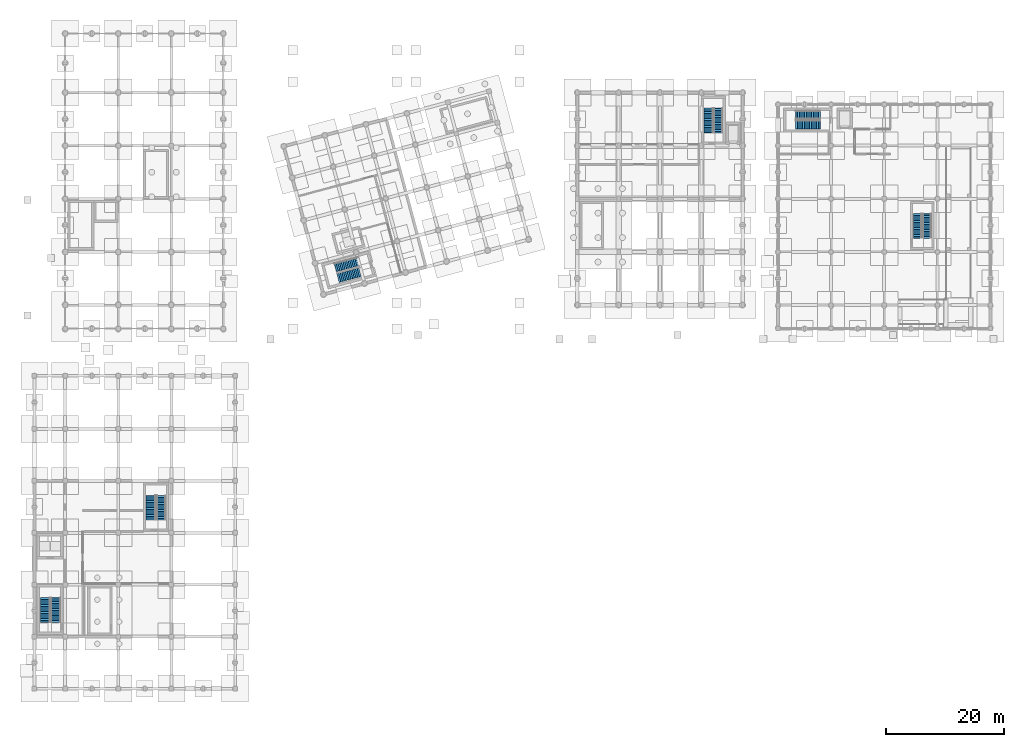
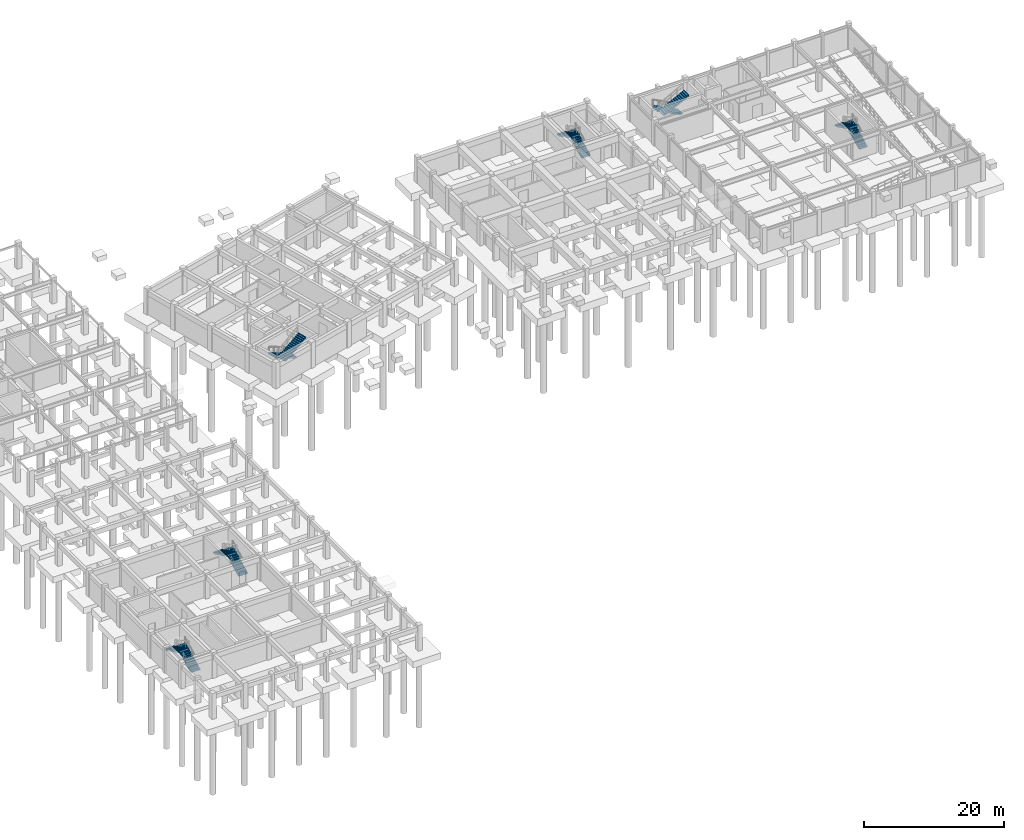
# One storey, part 16 of 20: 12 stair flights, 6 elements without a shape of their own.
"""IFC4 building model written with IfcOpenShell, lengths in metres."""

from ifc_helpers import new_model, si_unit, direction, frame, origin, place, context, subcontext, project, spatial, polyline, outline, extrude, material, type_object, element, aggregate, save


model = new_model("IFC4")

# Units and contexts
model_context = context("Model", 3, precision=1e-05, world=origin(), true_north=direction((0.0, 1.0)))
body_context = subcontext(model_context, "Body", "Model", "MODEL_VIEW")
ifc_project = project(units=[si_unit("LENGTHUNIT", "METRE"), si_unit("AREAUNIT", "SQUARE_METRE"), si_unit("VOLUMEUNIT", "CUBIC_METRE"), si_unit("PLANEANGLEUNIT", "RADIAN"), si_unit("MASSUNIT", "GRAM", prefix="KILO")], contexts=[model_context])

# Site, building, storey
site_placement = place(None, origin())
site = spatial("IfcSite", under=ifc_project, at=site_placement, CompositionType="ELEMENT")
building_placement = place(site_placement, origin())
building = spatial("IfcBuilding", under=site, at=building_placement, Name="Ventoquebrada Cableway Terminal", CompositionType="ELEMENT")
storey_placement = place(building_placement, frame((0.0, 0.0, -4.5)))
storey = spatial("IfcBuildingStorey", under=building, at=storey_placement, Name="B1", CompositionType="ELEMENT", Elevation=-4.5)

# Stair, stair flights
ifc_material = material(Name="Concrete C40/50", Category="concrete")
stair_type_1 = type_object("IfcStairType", Name="ST-T01", PredefinedType="HALF_TURN_STAIR", material=ifc_material)
stair_1_placement = place(storey_placement, origin())
stair_1 = element("IfcStair", 1, at=stair_1_placement, inside=storey, type_object=stair_type_1, Name="Protected half-turn stair ST-01", PredefinedType="HALF_TURN_STAIR")
stair_flight_type_1 = type_object("IfcStairFlightType", Name="SF-T01", PredefinedType="STRAIGHT", material=ifc_material)
stair_flight_1_placement = place(storey_placement, frame((6.675048828125, 14.199951171875, 0.0), z_axis=(0.0, 0.0, 1.0), x_axis=(0.0, 1.0, 0.0)))
stair_flight_1 = element("IfcStairFlight", 2, at=stair_flight_1_placement, type_object=stair_flight_type_1, Name="Lower stair flight SF-001", NumberOfRisers=15, NumberOfTreads=14, PredefinedType="STRAIGHT", RiserHeight=0.15, TreadLength=0.3, context=body_context, shape_type="SweptSolid", body=[
    extrude(outline(polyline([(0.0, 0.0), (0.0, 0.14990234375), (0.29638671875, 0.14990234375), (0.29638671875, 0.300048828125), (0.5927734375, 0.300048828125), (0.5927734375, 0.449951171875), (0.889404296875, 0.449951171875), (0.889404296875, 0.60009765625), (1.185791015625, 0.60009765625), (1.185791015625, 0.75), (1.482177734375, 0.75), (1.482177734375, 0.89990234375), (1.778564453125, 0.89990234375), (1.778564453125, 1.050048828125), (2.074951171875, 1.050048828125), (2.074951171875, 1.199951171875), (2.371337890625, 1.199951171875), (2.371337890625, 1.35009765625), (2.66796875, 1.35009765625), (2.66796875, 1.5), (2.96435546875, 1.5), (2.96435546875, 1.64990234375), (3.2607421875, 1.64990234375), (3.2607421875, 1.800048828125), (3.55712890625, 1.800048828125), (3.55712890625, 1.949951171875), (3.853515625, 1.949951171875), (3.853515625, 2.10009765625), (4.14990234375, 2.10009765625), (4.14990234375, 2.25), (4.199951171875, 2.25), (4.199951171875, 1.87646484375), (0.447021484375, 0.0), (0.0, 0.0)])), frame((0.0, 0.77490234375, 0.0), z_axis=(0.0, -1.0, 0.0), x_axis=(1.0, 0.0, 0.0)), (0.0, 0.0, 1.0), 1.550048828125),
])
stair_flight_2_placement = place(storey_placement, frame((4.764892578125, 18.39990234375, 2.25), z_axis=(0.0, 0.0, 1.0), x_axis=(0.0, -1.0, 0.0)))
stair_flight_2 = element("IfcStairFlight", 3, at=stair_flight_2_placement, type_object=stair_flight_type_1, Name="Upper stair flight SF-002", NumberOfRisers=15, NumberOfTreads=14, PredefinedType="STRAIGHT", RiserHeight=0.15, TreadLength=0.3, context=body_context, shape_type="SweptSolid", body=[
    extrude(outline(polyline([(0.0, 0.0), (0.0, 0.14990234375), (0.29638671875, 0.14990234375), (0.29638671875, 0.300048828125), (0.5927734375, 0.300048828125), (0.5927734375, 0.449951171875), (0.889404296875, 0.449951171875), (0.889404296875, 0.60009765625), (1.185791015625, 0.60009765625), (1.185791015625, 0.75), (1.482177734375, 0.75), (1.482177734375, 0.89990234375), (1.778564453125, 0.89990234375), (1.778564453125, 1.050048828125), (2.074951171875, 1.050048828125), (2.074951171875, 1.199951171875), (2.371337890625, 1.199951171875), (2.371337890625, 1.35009765625), (2.66796875, 1.35009765625), (2.66796875, 1.5), (2.96435546875, 1.5), (2.96435546875, 1.64990234375), (3.2607421875, 1.64990234375), (3.2607421875, 1.800048828125), (3.55712890625, 1.800048828125), (3.55712890625, 1.949951171875), (3.853515625, 1.949951171875), (3.853515625, 2.10009765625), (4.14990234375, 2.10009765625), (4.14990234375, 2.25), (4.199951171875, 2.25), (4.199951171875, 1.87646484375), (0.447021484375, 0.0), (0.0, 0.0)])), frame((0.0, 0.77490234375, 0.0), z_axis=(0.0, -1.0, 0.0), x_axis=(1.0, 0.0, 0.0)), (0.0, 0.0, 1.0), 1.550048828125),
])
aggregate(stair_1, [stair_flight_1, stair_flight_2])

stair_type_2 = type_object("IfcStairType", Name="ST-T02", PredefinedType="HALF_TURN_STAIR", material=ifc_material)
stair_2_placement = place(storey_placement, origin())
stair_2 = element("IfcStair", 4, at=stair_2_placement, inside=storey, type_object=stair_type_2, Name="Protected half-turn stair ST-02", PredefinedType="HALF_TURN_STAIR")
stair_flight_type_2 = type_object("IfcStairFlightType", Name="SF-T02", PredefinedType="STRAIGHT", material=ifc_material)
stair_flight_3_placement = place(storey_placement, frame((24.550048828125, 31.550048828125, 0.0), z_axis=(0.0, 0.0, 1.0), x_axis=(0.0, 1.0, 0.0)))
stair_flight_3 = element("IfcStairFlight", 5, at=stair_flight_3_placement, type_object=stair_flight_type_2, Name="Lower stair flight SF-003", NumberOfRisers=15, NumberOfTreads=14, PredefinedType="STRAIGHT", RiserHeight=0.15, TreadLength=0.3, context=body_context, shape_type="SweptSolid", body=[
    extrude(outline(polyline([(0.0, 0.0), (0.0, 0.14990234375), (0.29638671875, 0.14990234375), (0.29638671875, 0.300048828125), (0.5927734375, 0.300048828125), (0.5927734375, 0.449951171875), (0.889404296875, 0.449951171875), (0.889404296875, 0.60009765625), (1.185791015625, 0.60009765625), (1.185791015625, 0.75), (1.482177734375, 0.75), (1.482177734375, 0.89990234375), (1.778564453125, 0.89990234375), (1.778564453125, 1.050048828125), (2.074951171875, 1.050048828125), (2.074951171875, 1.199951171875), (2.371337890625, 1.199951171875), (2.371337890625, 1.35009765625), (2.66796875, 1.35009765625), (2.66796875, 1.5), (2.96435546875, 1.5), (2.96435546875, 1.64990234375), (3.2607421875, 1.64990234375), (3.2607421875, 1.800048828125), (3.55712890625, 1.800048828125), (3.55712890625, 1.949951171875), (3.853515625, 1.949951171875), (3.853515625, 2.10009765625), (4.14990234375, 2.10009765625), (4.14990234375, 2.25), (4.199951171875, 2.25), (4.199951171875, 1.87646484375), (0.447021484375, 0.0), (0.0, 0.0)])), frame((0.0, 0.75, 0.0), z_axis=(0.0, -1.0, 0.0), x_axis=(1.0, 0.0, 0.0)), (0.0, 0.0, 1.0), 1.5),
])
stair_flight_4_placement = place(storey_placement, frame((22.68994140625, 35.75, 2.25), z_axis=(0.0, 0.0, 1.0), x_axis=(0.0, -1.0, 0.0)))
stair_flight_4 = element("IfcStairFlight", 6, at=stair_flight_4_placement, type_object=stair_flight_type_2, Name="Upper stair flight SF-004", NumberOfRisers=15, NumberOfTreads=14, PredefinedType="STRAIGHT", RiserHeight=0.15, TreadLength=0.3, context=body_context, shape_type="SweptSolid", body=[
    extrude(outline(polyline([(0.0, 0.0), (0.0, 0.14990234375), (0.29638671875, 0.14990234375), (0.29638671875, 0.300048828125), (0.5927734375, 0.300048828125), (0.5927734375, 0.449951171875), (0.889404296875, 0.449951171875), (0.889404296875, 0.60009765625), (1.185791015625, 0.60009765625), (1.185791015625, 0.75), (1.482177734375, 0.75), (1.482177734375, 0.89990234375), (1.778564453125, 0.89990234375), (1.778564453125, 1.050048828125), (2.074951171875, 1.050048828125), (2.074951171875, 1.199951171875), (2.371337890625, 1.199951171875), (2.371337890625, 1.35009765625), (2.66796875, 1.35009765625), (2.66796875, 1.5), (2.96435546875, 1.5), (2.96435546875, 1.64990234375), (3.2607421875, 1.64990234375), (3.2607421875, 1.800048828125), (3.55712890625, 1.800048828125), (3.55712890625, 1.949951171875), (3.853515625, 1.949951171875), (3.853515625, 2.10009765625), (4.14990234375, 2.10009765625), (4.14990234375, 2.25), (4.199951171875, 2.25), (4.199951171875, 1.87646484375), (0.447021484375, 0.0), (0.0, 0.0)])), frame((0.0, 0.75, 0.0), z_axis=(0.0, -1.0, 0.0), x_axis=(1.0, 0.0, 0.0)), (0.0, 0.0, 1.0), 1.5),
])
aggregate(stair_2, [stair_flight_3, stair_flight_4])

stair_3_placement = place(storey_placement, origin())
stair_3 = element("IfcStair", 7, at=stair_3_placement, inside=storey, type_object=stair_type_2, Name="Protected half-turn stair ST-20", PredefinedType="HALF_TURN_STAIR")
stair_flight_5_placement = place(storey_placement, frame((58.02001953125, 75.44091796875, 0.0), z_axis=(0.0, 0.0, 1.0), x_axis=(-0.965925826289, -0.258819045103, 0.0)))
stair_flight_5 = element("IfcStairFlight", 8, at=stair_flight_5_placement, type_object=stair_flight_type_2, Name="Lower stair flight SF-039", NumberOfRisers=15, NumberOfTreads=14, PredefinedType="STRAIGHT", RiserHeight=0.15, TreadLength=0.3, context=body_context, shape_type="SweptSolid", body=[
    extrude(outline(polyline([(0.0, 0.0), (0.0, 0.14990234375), (0.29638671875, 0.14990234375), (0.29638671875, 0.300048828125), (0.5927734375, 0.300048828125), (0.5927734375, 0.449951171875), (0.889404296875, 0.449951171875), (0.889404296875, 0.60009765625), (1.185791015625, 0.60009765625), (1.185791015625, 0.75), (1.482177734375, 0.75), (1.482177734375, 0.89990234375), (1.778564453125, 0.89990234375), (1.778564453125, 1.050048828125), (2.074951171875, 1.050048828125), (2.074951171875, 1.199951171875), (2.371337890625, 1.199951171875), (2.371337890625, 1.35009765625), (2.66796875, 1.35009765625), (2.66796875, 1.5), (2.96435546875, 1.5), (2.96435546875, 1.64990234375), (3.2607421875, 1.64990234375), (3.2607421875, 1.800048828125), (3.55712890625, 1.800048828125), (3.55712890625, 1.949951171875), (3.853515625, 1.949951171875), (3.853515625, 2.10009765625), (4.14990234375, 2.10009765625), (4.14990234375, 2.25), (4.199951171875, 2.25), (4.199951171875, 1.87646484375), (0.447021484375, 0.0), (0.0, 0.0)])), frame((0.0, 0.75, 0.0), z_axis=(0.0, -1.0, 0.0), x_axis=(1.0, 0.0, 0.0)), (0.0, 0.0, 1.0), 1.5),
])
stair_flight_6_placement = place(storey_placement, frame((54.445068359375, 72.556884765625, 2.25), z_axis=(0.0, 0.0, 1.0), x_axis=(0.965925826289, 0.258819045103, 0.0)))
stair_flight_6 = element("IfcStairFlight", 9, at=stair_flight_6_placement, type_object=stair_flight_type_2, Name="Upper stair flight SF-040", NumberOfRisers=15, NumberOfTreads=14, PredefinedType="STRAIGHT", RiserHeight=0.15, TreadLength=0.3, context=body_context, shape_type="SweptSolid", body=[
    extrude(outline(polyline([(0.0, 0.0), (0.0, 0.14990234375), (0.29638671875, 0.14990234375), (0.29638671875, 0.300048828125), (0.5927734375, 0.300048828125), (0.5927734375, 0.449951171875), (0.889404296875, 0.449951171875), (0.889404296875, 0.60009765625), (1.185791015625, 0.60009765625), (1.185791015625, 0.75), (1.482177734375, 0.75), (1.482177734375, 0.89990234375), (1.778564453125, 0.89990234375), (1.778564453125, 1.050048828125), (2.074951171875, 1.050048828125), (2.074951171875, 1.199951171875), (2.371337890625, 1.199951171875), (2.371337890625, 1.35009765625), (2.66796875, 1.35009765625), (2.66796875, 1.5), (2.96435546875, 1.5), (2.96435546875, 1.64990234375), (3.2607421875, 1.64990234375), (3.2607421875, 1.800048828125), (3.55712890625, 1.800048828125), (3.55712890625, 1.949951171875), (3.853515625, 1.949951171875), (3.853515625, 2.10009765625), (4.14990234375, 2.10009765625), (4.14990234375, 2.25), (4.199951171875, 2.25), (4.199951171875, 1.87646484375), (0.447021484375, 0.0), (0.0, 0.0)])), frame((0.0, 0.75, 0.0), z_axis=(0.0, -1.0, 0.0), x_axis=(1.0, 0.0, 0.0)), (0.0, 0.0, 1.0), 1.5),
])
aggregate(stair_3, [stair_flight_5, stair_flight_6])

stair_type_3 = type_object("IfcStairType", Name="ST-T07", PredefinedType="HALF_TURN_STAIR", material=ifc_material)
stair_4_placement = place(storey_placement, origin())
stair_4 = element("IfcStair", 10, at=stair_4_placement, inside=storey, type_object=stair_type_3, Name="Protected half-turn stair ST-21", PredefinedType="HALF_TURN_STAIR")
stair_flight_type_3 = type_object("IfcStairFlightType", Name="SF-T07", PredefinedType="STRAIGHT", material=ifc_material)
stair_flight_7_placement = place(storey_placement, frame((118.949951171875, 97.14990234375, 0.0), z_axis=(0.0, 0.0, 1.0), x_axis=(0.0, 1.0, 0.0)))
stair_flight_7 = element("IfcStairFlight", 11, at=stair_flight_7_placement, type_object=stair_flight_type_3, Name="Lower stair flight SF-041", NumberOfRisers=15, NumberOfTreads=14, PredefinedType="STRAIGHT", RiserHeight=0.15, TreadLength=0.3, context=body_context, shape_type="SweptSolid", body=[
    extrude(outline(polyline([(0.0, 0.0), (0.0, 0.14990234375), (0.29638671875, 0.14990234375), (0.29638671875, 0.300048828125), (0.5927734375, 0.300048828125), (0.5927734375, 0.449951171875), (0.889404296875, 0.449951171875), (0.889404296875, 0.60009765625), (1.185791015625, 0.60009765625), (1.185791015625, 0.75), (1.482177734375, 0.75), (1.482177734375, 0.89990234375), (1.778564453125, 0.89990234375), (1.778564453125, 1.050048828125), (2.074951171875, 1.050048828125), (2.074951171875, 1.199951171875), (2.371337890625, 1.199951171875), (2.371337890625, 1.35009765625), (2.66796875, 1.35009765625), (2.66796875, 1.5), (2.96435546875, 1.5), (2.96435546875, 1.64990234375), (3.2607421875, 1.64990234375), (3.2607421875, 1.800048828125), (3.55712890625, 1.800048828125), (3.55712890625, 1.949951171875), (3.853515625, 1.949951171875), (3.853515625, 2.10009765625), (4.14990234375, 2.10009765625), (4.14990234375, 2.25), (4.199951171875, 2.25), (4.199951171875, 1.87646484375), (0.447021484375, 0.0), (0.0, 0.0)])), frame((0.0, 0.699951171875, 0.0), z_axis=(0.0, -1.0, 0.0), x_axis=(1.0, 0.0, 0.0)), (0.0, 0.0, 1.0), 1.39990234375),
])
stair_flight_8_placement = place(storey_placement, frame((117.18994140625, 101.35009765625, 2.25), z_axis=(0.0, 0.0, 1.0), x_axis=(0.0, -1.0, 0.0)))
stair_flight_8 = element("IfcStairFlight", 12, at=stair_flight_8_placement, type_object=stair_flight_type_3, Name="Upper stair flight SF-042", NumberOfRisers=15, NumberOfTreads=14, PredefinedType="STRAIGHT", RiserHeight=0.15, TreadLength=0.3, context=body_context, shape_type="SweptSolid", body=[
    extrude(outline(polyline([(0.0, 0.0), (0.0, 0.14990234375), (0.29638671875, 0.14990234375), (0.29638671875, 0.300048828125), (0.5927734375, 0.300048828125), (0.5927734375, 0.449951171875), (0.889404296875, 0.449951171875), (0.889404296875, 0.60009765625), (1.185791015625, 0.60009765625), (1.185791015625, 0.75), (1.482177734375, 0.75), (1.482177734375, 0.89990234375), (1.778564453125, 0.89990234375), (1.778564453125, 1.050048828125), (2.074951171875, 1.050048828125), (2.074951171875, 1.199951171875), (2.371337890625, 1.199951171875), (2.371337890625, 1.35009765625), (2.66796875, 1.35009765625), (2.66796875, 1.5), (2.96435546875, 1.5), (2.96435546875, 1.64990234375), (3.2607421875, 1.64990234375), (3.2607421875, 1.800048828125), (3.55712890625, 1.800048828125), (3.55712890625, 1.949951171875), (3.853515625, 1.949951171875), (3.853515625, 2.10009765625), (4.14990234375, 2.10009765625), (4.14990234375, 2.25), (4.199951171875, 2.25), (4.199951171875, 1.87646484375), (0.447021484375, 0.0), (0.0, 0.0)])), frame((0.0, 0.699951171875, 0.0), z_axis=(0.0, -1.0, 0.0), x_axis=(1.0, 0.0, 0.0)), (0.0, 0.0, 1.0), 1.39990234375),
])
aggregate(stair_4, [stair_flight_7, stair_flight_8])

stair_5_placement = place(storey_placement, origin())
stair_5 = element("IfcStair", 13, at=stair_5_placement, inside=storey, type_object=stair_type_3, Name="Protected half-turn stair ST-22", PredefinedType="HALF_TURN_STAIR")
stair_flight_9_placement = place(storey_placement, frame((136.199951171875, 100.25, 0.0), z_axis=(0.0, 0.0, 1.0), x_axis=(-1.0, 0.0, 0.0)))
stair_flight_9 = element("IfcStairFlight", 14, at=stair_flight_9_placement, type_object=stair_flight_type_3, Name="Lower stair flight SF-043", NumberOfRisers=15, NumberOfTreads=14, PredefinedType="STRAIGHT", RiserHeight=0.15, TreadLength=0.3, context=body_context, shape_type="SweptSolid", body=[
    extrude(outline(polyline([(0.0, 0.0), (0.0, 0.14990234375), (0.29638671875, 0.14990234375), (0.29638671875, 0.300048828125), (0.5927734375, 0.300048828125), (0.5927734375, 0.449951171875), (0.889404296875, 0.449951171875), (0.889404296875, 0.60009765625), (1.185791015625, 0.60009765625), (1.185791015625, 0.75), (1.482177734375, 0.75), (1.482177734375, 0.89990234375), (1.778564453125, 0.89990234375), (1.778564453125, 1.050048828125), (2.074951171875, 1.050048828125), (2.074951171875, 1.199951171875), (2.371337890625, 1.199951171875), (2.371337890625, 1.35009765625), (2.66796875, 1.35009765625), (2.66796875, 1.5), (2.96435546875, 1.5), (2.96435546875, 1.64990234375), (3.2607421875, 1.64990234375), (3.2607421875, 1.800048828125), (3.55712890625, 1.800048828125), (3.55712890625, 1.949951171875), (3.853515625, 1.949951171875), (3.853515625, 2.10009765625), (4.14990234375, 2.10009765625), (4.14990234375, 2.25), (4.199951171875, 2.25), (4.199951171875, 1.87646484375), (0.447021484375, 0.0), (0.0, 0.0)])), frame((0.0, 0.699951171875, 0.0), z_axis=(0.0, -1.0, 0.0), x_axis=(1.0, 0.0, 0.0)), (0.0, 0.0, 1.0), 1.39990234375),
])
stair_flight_10_placement = place(storey_placement, frame((132.0, 98.489990234375, 2.25), z_axis=(0.0, 0.0, 1.0), x_axis=(1.0, 0.0, 0.0)))
stair_flight_10 = element("IfcStairFlight", 15, at=stair_flight_10_placement, type_object=stair_flight_type_3, Name="Upper stair flight SF-044", NumberOfRisers=15, NumberOfTreads=14, PredefinedType="STRAIGHT", RiserHeight=0.15, TreadLength=0.3, context=body_context, shape_type="SweptSolid", body=[
    extrude(outline(polyline([(0.0, 0.0), (0.0, 0.14990234375), (0.29638671875, 0.14990234375), (0.29638671875, 0.300048828125), (0.5927734375, 0.300048828125), (0.5927734375, 0.449951171875), (0.889404296875, 0.449951171875), (0.889404296875, 0.60009765625), (1.185791015625, 0.60009765625), (1.185791015625, 0.75), (1.482177734375, 0.75), (1.482177734375, 0.89990234375), (1.778564453125, 0.89990234375), (1.778564453125, 1.050048828125), (2.074951171875, 1.050048828125), (2.074951171875, 1.199951171875), (2.371337890625, 1.199951171875), (2.371337890625, 1.35009765625), (2.66796875, 1.35009765625), (2.66796875, 1.5), (2.96435546875, 1.5), (2.96435546875, 1.64990234375), (3.2607421875, 1.64990234375), (3.2607421875, 1.800048828125), (3.55712890625, 1.800048828125), (3.55712890625, 1.949951171875), (3.853515625, 1.949951171875), (3.853515625, 2.10009765625), (4.14990234375, 2.10009765625), (4.14990234375, 2.25), (4.199951171875, 2.25), (4.199951171875, 1.87646484375), (0.447021484375, 0.0), (0.0, 0.0)])), frame((0.0, 0.699951171875, 0.0), z_axis=(0.0, -1.0, 0.0), x_axis=(1.0, 0.0, 0.0)), (0.0, 0.0, 1.0), 1.39990234375),
])
aggregate(stair_5, [stair_flight_9, stair_flight_10])

stair_type_4 = type_object("IfcStairType", Name="ST-T08", PredefinedType="HALF_TURN_STAIR", material=ifc_material)
stair_6_placement = place(storey_placement, origin())
stair_6 = element("IfcStair", 16, at=stair_6_placement, inside=storey, type_object=stair_type_4, Name="Protected half-turn stair ST-23", PredefinedType="HALF_TURN_STAIR")
stair_flight_type_4 = type_object("IfcStairFlightType", Name="SF-T08", PredefinedType="STRAIGHT", material=ifc_material)
stair_flight_11_placement = place(storey_placement, frame((154.324951171875, 79.300048828125, 0.0), z_axis=(0.0, 0.0, 1.0), x_axis=(0.0, 1.0, 0.0)))
stair_flight_11 = element("IfcStairFlight", 17, at=stair_flight_11_placement, type_object=stair_flight_type_4, Name="Lower stair flight SF-045", NumberOfRisers=15, NumberOfTreads=14, PredefinedType="STRAIGHT", RiserHeight=0.15, TreadLength=0.3, context=body_context, shape_type="SweptSolid", body=[
    extrude(outline(polyline([(0.0, 0.0), (0.0, 0.14990234375), (0.29638671875, 0.14990234375), (0.29638671875, 0.300048828125), (0.5927734375, 0.300048828125), (0.5927734375, 0.449951171875), (0.889404296875, 0.449951171875), (0.889404296875, 0.60009765625), (1.185791015625, 0.60009765625), (1.185791015625, 0.75), (1.482177734375, 0.75), (1.482177734375, 0.89990234375), (1.778564453125, 0.89990234375), (1.778564453125, 1.050048828125), (2.074951171875, 1.050048828125), (2.074951171875, 1.199951171875), (2.371337890625, 1.199951171875), (2.371337890625, 1.35009765625), (2.66796875, 1.35009765625), (2.66796875, 1.5), (2.96435546875, 1.5), (2.96435546875, 1.64990234375), (3.2607421875, 1.64990234375), (3.2607421875, 1.800048828125), (3.55712890625, 1.800048828125), (3.55712890625, 1.949951171875), (3.853515625, 1.949951171875), (3.853515625, 2.10009765625), (4.14990234375, 2.10009765625), (4.14990234375, 2.25), (4.199951171875, 2.25), (4.199951171875, 1.87646484375), (0.447021484375, 0.0), (0.0, 0.0)])), frame((0.0, 0.675048828125, 0.0), z_axis=(0.0, -1.0, 0.0), x_axis=(1.0, 0.0, 0.0)), (0.0, 0.0, 1.0), 1.35009765625),
])
stair_flight_12_placement = place(storey_placement, frame((152.614990234375, 83.5, 2.25), z_axis=(0.0, 0.0, 1.0), x_axis=(0.0, -1.0, 0.0)))
stair_flight_12 = element("IfcStairFlight", 18, at=stair_flight_12_placement, type_object=stair_flight_type_4, Name="Upper stair flight SF-046", NumberOfRisers=15, NumberOfTreads=14, PredefinedType="STRAIGHT", RiserHeight=0.15, TreadLength=0.3, context=body_context, shape_type="SweptSolid", body=[
    extrude(outline(polyline([(0.0, 0.0), (0.0, 0.14990234375), (0.29638671875, 0.14990234375), (0.29638671875, 0.300048828125), (0.5927734375, 0.300048828125), (0.5927734375, 0.449951171875), (0.889404296875, 0.449951171875), (0.889404296875, 0.60009765625), (1.185791015625, 0.60009765625), (1.185791015625, 0.75), (1.482177734375, 0.75), (1.482177734375, 0.89990234375), (1.778564453125, 0.89990234375), (1.778564453125, 1.050048828125), (2.074951171875, 1.050048828125), (2.074951171875, 1.199951171875), (2.371337890625, 1.199951171875), (2.371337890625, 1.35009765625), (2.66796875, 1.35009765625), (2.66796875, 1.5), (2.96435546875, 1.5), (2.96435546875, 1.64990234375), (3.2607421875, 1.64990234375), (3.2607421875, 1.800048828125), (3.55712890625, 1.800048828125), (3.55712890625, 1.949951171875), (3.853515625, 1.949951171875), (3.853515625, 2.10009765625), (4.14990234375, 2.10009765625), (4.14990234375, 2.25), (4.199951171875, 2.25), (4.199951171875, 1.87646484375), (0.447021484375, 0.0), (0.0, 0.0)])), frame((0.0, 0.675048828125, 0.0), z_axis=(0.0, -1.0, 0.0), x_axis=(1.0, 0.0, 0.0)), (0.0, 0.0, 1.0), 1.35009765625),
])
aggregate(stair_6, [stair_flight_11, stair_flight_12])

save(model, "model.ifc")
